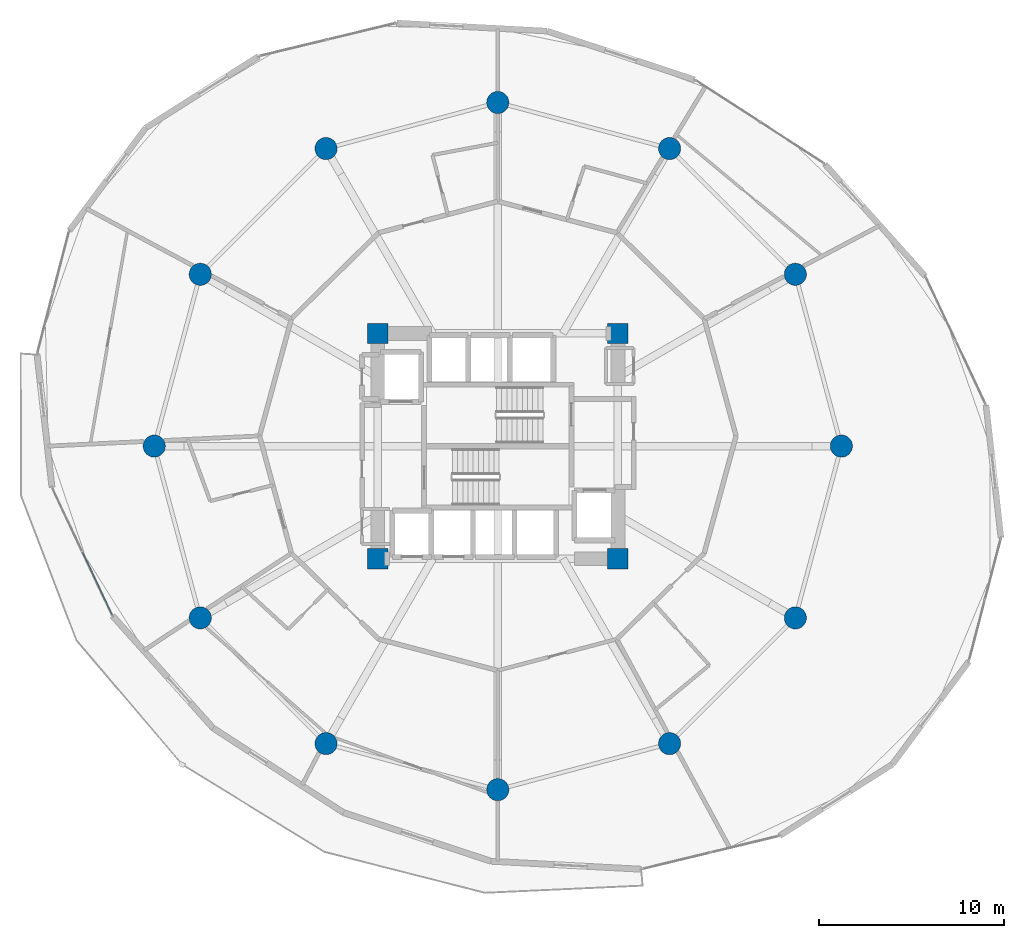
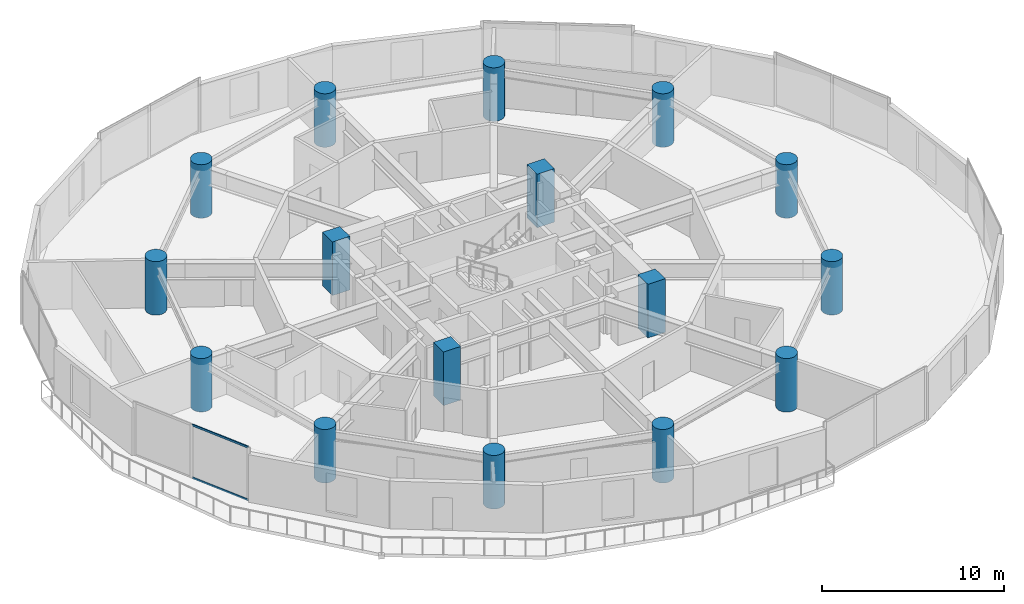
# One storey, part 1 of 24: 16 columns, 2 members, 1 element without a shape of its own.
"""IFC4 building model written with IfcOpenShell, lengths in metres."""

import ifcopenshell
import ifcopenshell.guid

model = None  # the IFC model being written
_history = None  # IfcOwnerHistory: only IFC2X3 demands one
_inside = {}  # id of a spatial element -> (the spatial element, [elements in it])
_under = {}  # id of a project, library or spatial element -> (it, [spatial elements below it])
_declared = {}  # id of a project -> (the project, [libraries it declares])
_typed = {}  # id of a type object -> (the type object, [elements of that type])
_made_of = {}  # id of a material, layer set ... -> (it, [elements and type objects made of it])


def new_model(schema):
    """Start an empty IFC model of exactly this schema.

    Asked for "IFC4X3", IfcOpenShell would pick the latest addendum, in which some entities
    have other attributes; the version numbers below select the first issue.
    IFC2X3 requires an IfcOwnerHistory on every rooted entity: one is made here for all.
    """
    global model, _history
    if schema == "IFC4X3":
        model = ifcopenshell.file(schema_version=(4, 3, 0, 0))
    else:
        model = ifcopenshell.file(schema=schema)
    _inside.clear()
    _under.clear()
    _declared.clear()
    _typed.clear()
    _made_of.clear()
    _history = None
    if model.schema == "IFC2X3":
        org = make("IfcOrganization", Name="unknown")
        user = make(
            "IfcPersonAndOrganization",
            ThePerson=make("IfcPerson", FamilyName="unknown"),
            TheOrganization=org,
        )
        app = make(
            "IfcApplication",
            ApplicationDeveloper=org,
            Version="unknown",
            ApplicationFullName="unknown",
            ApplicationIdentifier="unknown",
        )
        _history = make(
            "IfcOwnerHistory",
            OwningUser=user,
            OwningApplication=app,
            ChangeAction="ADDED",
            CreationDate=0,
        )
    return model


def make(cls, **values):
    """One entity of the class cls with the attributes given. An attribute that is None is left unset."""
    return model.create_entity(
        cls, **{name: value for name, value in values.items() if value is not None}
    )


def rooted(cls, **values):
    """An entity with a GlobalId (a new one), such as an element, a storey or a relation."""
    return make(cls, GlobalId=ifcopenshell.guid.new(), OwnerHistory=_history, **values)


def si_unit(unit_type, name, prefix=None):
    """IfcSIUnit, for example si_unit("LENGTHUNIT", "METRE", prefix="MILLI")."""
    return make("IfcSIUnit", UnitType=unit_type, Prefix=prefix, Name=name)


def assignment(units):
    """IfcUnitAssignment: the units of a project."""
    return None if units is None else make("IfcUnitAssignment", Units=units)


def point(xyz):
    """IfcCartesianPoint."""
    return None if xyz is None else make("IfcCartesianPoint", Coordinates=xyz)


def direction(xyz):
    """IfcDirection."""
    return None if xyz is None else make("IfcDirection", DirectionRatios=xyz)


def frame(location, z_axis=None, x_axis=None):
    """IfcAxis2Placement3D, a coordinate frame: its origin and axes. An axis left out is left unset."""
    return make(
        "IfcAxis2Placement3D",
        Location=point(location),
        Axis=direction(z_axis),
        RefDirection=direction(x_axis),
    )


def frame_2d(location, x_axis=None):
    """IfcAxis2Placement2D, a coordinate frame in the plane: its origin and x axis."""
    return make(
        "IfcAxis2Placement2D", Location=point(location), RefDirection=direction(x_axis)
    )


def origin():
    """The frame at (0, 0, 0) with its axes left unset."""
    return frame((0.0, 0.0, 0.0))


def origin_2d():
    """The frame at (0, 0) in the plane with its x axis left unset."""
    return frame_2d((0.0, 0.0))


def place(relative_to, where):
    """IfcLocalPlacement: puts the frame where relative to a parent placement (None: the world)."""
    return make(
        "IfcLocalPlacement", PlacementRelTo=relative_to, RelativePlacement=where
    )


def context(
    kind, dimensions, precision=None, world=None, true_north=None, identifier=None
):
    """IfcGeometricRepresentationContext, for example the 3D "Model" context."""
    return make(
        "IfcGeometricRepresentationContext",
        ContextIdentifier=identifier,
        ContextType=kind,
        CoordinateSpaceDimension=dimensions,
        Precision=precision,
        WorldCoordinateSystem=world,
        TrueNorth=true_north,
    )


def subcontext(parent, identifier, kind, view, scale=None):
    """IfcGeometricRepresentationSubContext, for example "Body" below "Model"."""
    return make(
        "IfcGeometricRepresentationSubContext",
        ContextIdentifier=identifier,
        ContextType=kind,
        ParentContext=parent,
        TargetScale=scale,
        TargetView=view,
    )


def project(units=None, contexts=None):
    """IfcProject with its units and contexts."""
    return rooted(
        "IfcProject",
        Name="project",
        RepresentationContexts=contexts,
        UnitsInContext=assignment(units),
    )


def spatial(cls, under=None, at=None, **own):
    """A site, building, storey or space (cls), placed at a placement, below another one or the project."""
    s = rooted(cls, ObjectPlacement=at, **own)
    if under is not None:
        _under.setdefault(under.id(), (under, []))[1].append(s)
    return s


def profile(cls, at=None, kind="AREA", **sizes):
    """A parametric profile (cls). Its sizes go by their IFC names, for example OverallWidth=200.0."""
    return make(cls, ProfileType=kind, Position=at, **sizes)


def rectangle(**sizes):
    """IfcRectangleProfileDef."""
    return profile("IfcRectangleProfileDef", **sizes)


def hollow_rectangle(**sizes):
    """IfcRectangleHollowProfileDef."""
    return profile("IfcRectangleHollowProfileDef", **sizes)


def circle(**sizes):
    """IfcCircleProfileDef."""
    return profile("IfcCircleProfileDef", **sizes)


def extrude(swept, where, along, depth):
    """IfcExtrudedAreaSolid: the profile swept, set in the frame where, extruded along a direction by depth."""
    return make(
        "IfcExtrudedAreaSolid",
        SweptArea=swept,
        Position=where,
        ExtrudedDirection=direction(along),
        Depth=depth,
    )


def shape(context_of_items, identifier, shape_type, items):
    """IfcShapeRepresentation: the items that make up one representation, for example the "Body"."""
    return make(
        "IfcShapeRepresentation",
        ContextOfItems=context_of_items,
        RepresentationIdentifier=identifier,
        RepresentationType=shape_type,
        Items=items,
    )


def source(mapping_origin, context_of_items, identifier, shape_type, items):
    """IfcRepresentationMap: a shape defined once, which mapped items show again and again."""
    return make(
        "IfcRepresentationMap",
        MappingOrigin=mapping_origin,
        MappedRepresentation=shape(context_of_items, identifier, shape_type, items),
    )


def transform(
    local_origin,
    x_axis=None,
    y_axis=None,
    z_axis=None,
    scale=None,
    scale2=None,
    scale3=None,
    uniform=True,
):
    """IfcCartesianTransformationOperator3D, or its non-uniform kind. x_axis, y_axis, z_axis: its Axis1, 2, 3."""
    if uniform:
        return make(
            "IfcCartesianTransformationOperator3D",
            Axis1=direction(x_axis),
            Axis2=direction(y_axis),
            LocalOrigin=point(local_origin),
            Scale=scale,
            Axis3=direction(z_axis),
        )
    return make(
        "IfcCartesianTransformationOperator3DnonUniform",
        Axis1=direction(x_axis),
        Axis2=direction(y_axis),
        LocalOrigin=point(local_origin),
        Scale=scale,
        Axis3=direction(z_axis),
        Scale2=scale2,
        Scale3=scale3,
    )


def mapped(mapping_source, mapping_target):
    """IfcMappedItem: shows the shape of a source again, moved by a transform."""
    return make(
        "IfcMappedItem", MappingSource=mapping_source, MappingTarget=mapping_target
    )


def material(Name=None, Category=None):
    """IfcMaterial."""
    return make("IfcMaterial", Name=Name, Category=Category)


def layer(
    of_material, thickness, ventilated=None, Name=None, Category=None, Priority=None
):
    """IfcMaterialLayer: one layer of a wall or slab, of a material (None: an air gap)."""
    return make(
        "IfcMaterialLayer",
        Material=of_material,
        LayerThickness=thickness,
        IsVentilated=ventilated,
        Name=Name,
        Category=Category,
        Priority=Priority,
    )


def layer_set(layers, Name=None):
    """IfcMaterialLayerSet."""
    return make("IfcMaterialLayerSet", MaterialLayers=layers, LayerSetName=Name)


def material_profile(
    of_material, cross_section, Name=None, Category=None, Priority=None
):
    """IfcMaterialProfile: a cross section and its material."""
    return make(
        "IfcMaterialProfile",
        Name=Name,
        Material=of_material,
        Profile=cross_section,
        Priority=Priority,
        Category=Category,
    )


def profile_set(profiles, Name=None, composite=None):
    """IfcMaterialProfileSet."""
    return make(
        "IfcMaterialProfileSet",
        Name=Name,
        MaterialProfiles=profiles,
        CompositeProfile=composite,
    )


def made_of(thing, what):
    """Note that an element or type object is made of a material, layer set ...; save() writes the relation."""
    if what is not None:
        _made_of.setdefault(what.id(), (what, []))[1].append(thing)
    return thing


def type_object(cls, material=None, **own):
    """A type object (cls), such as IfcWallType, which elements share."""
    return made_of(rooted(cls, **own), material)


def element(
    cls,
    number,
    at=None,
    inside=None,
    cuts=None,
    type_object=None,
    material=None,
    context=None,
    identifier="Body",
    shape_type=None,
    held_by="IfcProductDefinitionShape",
    body=None,
    shapes=None,
    **own,
):
    """One element of the class cls, such as IfcWall. Its Tag is "e" and its number.

    at: its placement. inside: the storey or other place that contains it. cuts: it is an
    opening in that element (IfcRelVoidsElement). A single representation is given by context,
    identifier, shape_type and body (its items); several are given by shapes. held_by: the class
    of the entity that holds the representations. save() writes the other relations.
    """
    e = rooted(cls, Tag="e%d" % number, ObjectPlacement=at, **own)
    if body is not None:
        shapes = [shape(context, identifier, shape_type, body)]
    if shapes is not None:
        e.Representation = make(held_by, Representations=shapes)
    if inside is not None:
        _inside.setdefault(inside.id(), (inside, []))[1].append(e)
    if cuts is not None:
        rooted(
            "IfcRelVoidsElement", RelatingBuildingElement=cuts, RelatedOpeningElement=e
        )
    if type_object is not None:
        _typed.setdefault(type_object.id(), (type_object, []))[1].append(e)
    return made_of(e, material)


def aggregate(whole, parts):
    """IfcRelAggregates: a whole, such as a stair, and the parts it consists of."""
    return rooted("IfcRelAggregates", RelatingObject=whole, RelatedObjects=parts)


def save(model, path):
    """Write the relations noted so far, then the file.

    IfcRelAggregates (storeys below a building ...), IfcRelContainedInSpatialStructure (elements
    in a storey), IfcRelDefinesByType, IfcRelAssociatesMaterial and IfcRelDeclares: one each for
    every whole, place, type object, material and project.
    """
    for whole, parts in _under.values():
        aggregate(whole, parts)
    for where, things in _inside.values():
        rooted(
            "IfcRelContainedInSpatialStructure",
            RelatedElements=things,
            RelatingStructure=where,
        )
    for kind, things in _typed.values():
        rooted("IfcRelDefinesByType", RelatedObjects=things, RelatingType=kind)
    for what, things in _made_of.values():
        rooted("IfcRelAssociatesMaterial", RelatedObjects=things, RelatingMaterial=what)
    for by, libraries in _declared.values():
        rooted("IfcRelDeclares", RelatingContext=by, RelatedDefinitions=libraries)
    model.write(path)


model = new_model("IFC4")

# Units and contexts
model_context = context("Model", 3, precision=1e-05, world=origin(), true_north=direction((0.0, 1.0)))
body_context = subcontext(model_context, "Body", "Model", "MODEL_VIEW")
ifc_project = project(units=[si_unit("LENGTHUNIT", "METRE"), si_unit("AREAUNIT", "SQUARE_METRE"), si_unit("VOLUMEUNIT", "CUBIC_METRE"), si_unit("PLANEANGLEUNIT", "RADIAN"), si_unit("MASSUNIT", "GRAM", prefix="KILO")], contexts=[model_context])

# Site, building, storey
site_placement = place(None, origin())
site = spatial("IfcSite", under=ifc_project, at=site_placement, CompositionType="ELEMENT")
building_placement = place(site_placement, origin())
building = spatial("IfcBuilding", under=site, at=building_placement, Name="Solvirekh Grand Hotel", CompositionType="ELEMENT")
storey_placement = place(building_placement, frame((0.0, 0.0, 89.60009765625)))
storey = spatial("IfcBuildingStorey", under=building, at=storey_placement, Name="L22", CompositionType="ELEMENT", Elevation=89.60009765625)

# Columns
ifc_material_1 = material(Name="Concrete C60/75", Category="concrete")
ifc_material_profile_1 = material_profile(ifc_material_1, rectangle(XDim=1.10009765625, YDim=1.10009765625, at=origin_2d()), Name="RC 1100X1100")
ifc_profile_set_1 = profile_set([ifc_material_profile_1], Name="Concrete C60/75")
column_type_1 = type_object("IfcColumnType", Name="Col_Core_1100", PredefinedType="COLUMN", material=ifc_profile_set_1)
for number, where, z_axis, x_axis, name in (
    (1, (-6.5, -6.10009765625, 0.0), (0.0, 0.0, 1.0), (1.0, 0.0, 0.0), "L22 core corner column CC1"),
    (2, (6.5, -6.10009765625, 0.0), (0.0, 0.0, 1.0), (1.0, 0.0, 0.0), "L22 core corner column CC2"),
    (3, (6.5, 6.10009765625, 0.0), (0.0, 0.0, 1.0), (1.0, 0.0, 0.0), "L22 core corner column CC3"),
    (4, (-6.5, 6.10009765625, 0.0), (0.0, 0.0, 1.0), (1.0, 0.0, 0.0), "L22 core corner column CC4"),
):
    element("IfcColumn", number, at=place(storey_placement, frame(where, z_axis=z_axis, x_axis=x_axis)), inside=storey, type_object=column_type_1, Name=name, PredefinedType="COLUMN", context=body_context, shape_type="SweptSolid", body=[
        extrude(rectangle(XDim=1.10009765625, YDim=1.10009765625, at=origin_2d()), origin(), (0.0, 0.0, 1.0), 3.599853515625),
    ])
ifc_material_profile_2 = material_profile(ifc_material_1, circle(Radius=0.60009765625, at=origin_2d()), Name="RC CIRC D1200")
ifc_profile_set_2 = profile_set([ifc_material_profile_2], Name="Concrete C60/75")
column_type_2 = type_object("IfcColumnType", Name="Col_Z1_D1200", PredefinedType="COLUMN", material=ifc_profile_set_2)
for number, where, z_axis, x_axis, name in (
    (5, (18.60009765625, 0.0, 0.0), (0.0, 0.0, 1.0), (1.0, 0.0, 0.0), "L22 perimeter column P01"),
    (6, (16.10791015625, 9.300048828125, 0.0), (0.0, 0.0, 1.0), (1.0, 0.0, 0.0), "L22 perimeter column P02"),
    (7, (9.300048828125, 16.10791015625, 0.0), (0.0, 0.0, 1.0), (1.0, 0.0, 0.0), "L22 perimeter column P03"),
    (8, (0.0, 18.60009765625, 0.0), (0.0, 0.0, 1.0), (1.0, 0.0, 0.0), "L22 perimeter column P04"),
    (9, (-9.300048828125, 16.10791015625, 0.0), (0.0, 0.0, 1.0), (1.0, 0.0, 0.0), "L22 perimeter column P05"),
    (10, (-16.10791015625, 9.300048828125, 0.0), (0.0, 0.0, 1.0), (1.0, 0.0, 0.0), "L22 perimeter column P06"),
    (11, (-18.60009765625, 0.0, 0.0), (0.0, 0.0, 1.0), (1.0, 0.0, 0.0), "L22 perimeter column P07"),
    (12, (-16.10791015625, -9.300048828125, 0.0), (0.0, 0.0, 1.0), (1.0, 0.0, 0.0), "L22 perimeter column P08"),
    (13, (-9.300048828125, -16.10791015625, 0.0), (0.0, 0.0, 1.0), (1.0, 0.0, 0.0), "L22 perimeter column P09"),
    (14, (0.0, -18.60009765625, 0.0), (0.0, 0.0, 1.0), (1.0, 0.0, 0.0), "L22 perimeter column P10"),
    (15, (9.300048828125, -16.10791015625, 0.0), (0.0, 0.0, 1.0), (1.0, 0.0, 0.0), "L22 perimeter column P11"),
    (16, (16.10791015625, -9.300048828125, 0.0), (0.0, 0.0, 1.0), (1.0, 0.0, 0.0), "L22 perimeter column P12"),
):
    element("IfcColumn", number, at=place(storey_placement, frame(where, z_axis=z_axis, x_axis=x_axis)), inside=storey, type_object=column_type_2, Name=name, PredefinedType="COLUMN", context=body_context, shape_type="SweptSolid", body=[
        extrude(circle(Radius=0.60009765625, at=origin_2d()), origin(), (0.0, 0.0, 1.0), 3.599853515625),
    ])

# Curtain wall, members
ifc_material_2 = material(Name="Anodized Bronze Aluminium 6063-T6", Category="aluminium")
ifc_layer = layer(ifc_material_2, 0.18994140625)
ifc_layer_set = layer_set([ifc_layer], Name="Anodized Bronze Aluminium 6063-T6")
curtain_wall_type = type_object("IfcCurtainWallType", Name="CW_Sys2_LowZoneFlushBronzeCW", PredefinedType="NOTDEFINED", material=ifc_layer_set)
curtain_wall_placement = place(storey_placement, origin())
curtain_wall = element("IfcCurtainWall", 17, at=curtain_wall_placement, inside=storey, type_object=curtain_wall_type, Name="L22 unitised bronze-glass curtain wall CW-L22-C13", PredefinedType="NOTDEFINED")
ifc_material_profile_3 = material_profile(ifc_material_2, hollow_rectangle(XDim=0.06005859375, YDim=0.135009765625, WallThickness=0.00390625, at=origin_2d()), Name="ALU RHS 135X60X4")
ifc_profile_set_3 = profile_set([ifc_material_profile_3], Name="Anodized Bronze Aluminium 6063-T6")
member_type = type_object("IfcMemberType", Name="CWTransom_Sys2", PredefinedType="USERDEFINED", material=ifc_profile_set_3)
shared_shape = source(origin(), body_context, "Body", "SweptSolid", [
    extrude(hollow_rectangle(XDim=0.06005859375, YDim=0.135009765625, WallThickness=0.00390625, at=origin_2d()), origin(), (0.0, 0.0, 1.0), 3.747314453125),
])
member_1_placement = place(storey_placement, frame((-22.47998046875, -5.74072265625, 0.02978515625), z_axis=(0.426217426151, -0.904620752385, 0.0), x_axis=(0.904620752385, 0.426217426151, 0.0)))
member_1 = element("IfcMember", 18, at=member_1_placement, type_object=member_type, Name="U02 transom 2.1", ObjectType="TRANSOM", PredefinedType="USERDEFINED", context=body_context, shape_type="MappedRepresentation", body=[
    mapped(shared_shape, transform((0.0, 0.0, 0.0), x_axis=(1.0, 0.0, 0.0), y_axis=(0.0, 1.0, 0.0), z_axis=(0.0, 0.0, 1.0), scale=1.0)),
])
member_2_placement = place(storey_placement, frame((-22.47998046875, -5.74072265625, 3.56982421875), z_axis=(0.426217426151, -0.904620752385, 0.0), x_axis=(0.904620752385, 0.426217426151, 0.0)))
member_2 = element("IfcMember", 19, at=member_2_placement, type_object=member_type, Name="U02 transom 2.2", ObjectType="TRANSOM", PredefinedType="USERDEFINED", context=body_context, shape_type="MappedRepresentation", body=[
    mapped(shared_shape, transform((0.0, 0.0, 0.0), x_axis=(1.0, 0.0, 0.0), y_axis=(0.0, 1.0, 0.0), z_axis=(0.0, 0.0, 1.0), scale=1.0)),
])
aggregate(curtain_wall, [member_1, member_2])

save(model, "model.ifc")
